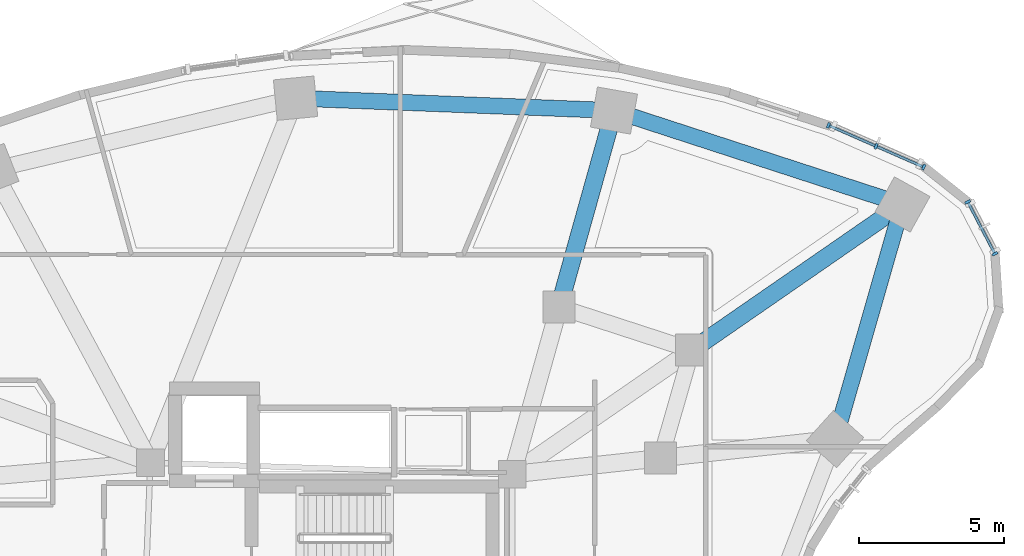
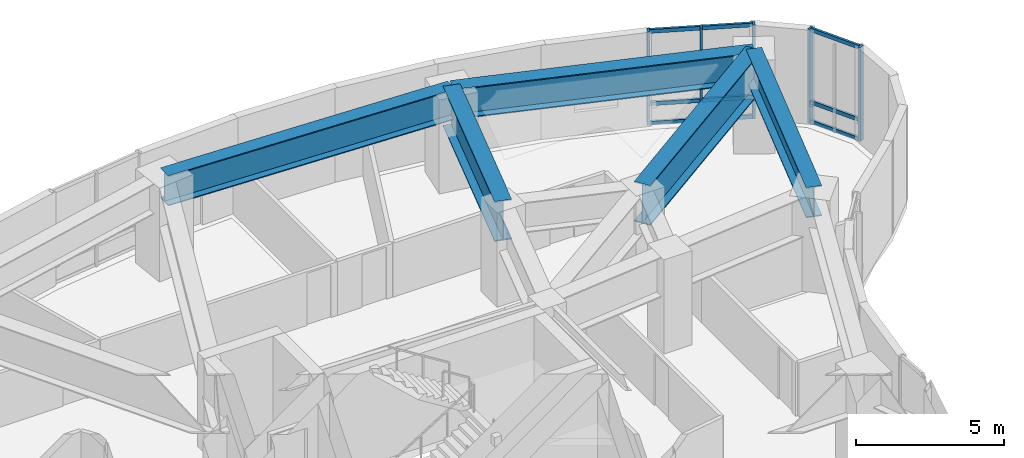
# One storey, part 5 of 13: 14 members, 5 beams, 2 elements without a shape of their own.
"""IFC4 building model written with IfcOpenShell, lengths in metres."""

from ifc_helpers import new_model, si_unit, direction, frame, origin, origin_2d, place, context, subcontext, project, spatial, rectangle, i_section, extrude, material, layer, layer_set, material_profile, profile_set, type_object, element, aggregate, save


model = new_model("IFC4")

# Units and contexts
model_context = context("Model", 3, precision=1e-05, world=origin(), true_north=direction((0.0, 1.0)))
body_context = subcontext(model_context, "Body", "Model", "MODEL_VIEW")
ifc_project = project(units=[si_unit("LENGTHUNIT", "METRE"), si_unit("AREAUNIT", "SQUARE_METRE"), si_unit("VOLUMEUNIT", "CUBIC_METRE"), si_unit("PLANEANGLEUNIT", "RADIAN"), si_unit("MASSUNIT", "GRAM", prefix="KILO")], contexts=[model_context])

# Site, building, storey
site_placement = place(None, origin())
site = spatial("IfcSite", under=ifc_project, at=site_placement, CompositionType="ELEMENT")
building_placement = place(site_placement, origin())
building = spatial("IfcBuilding", under=site, at=building_placement, Name="Korentha Bioscience Tower", CompositionType="ELEMENT")
storey_placement = place(building_placement, frame((0.0, 0.0, 80.39990234375)))
storey = spatial("IfcBuildingStorey", under=building, at=storey_placement, Name="L18", CompositionType="ELEMENT", Elevation=80.39990234375)

# Beams
ifc_material_1 = material(Name="Steel S355", Category="steel")
ifc_material_profile_1 = material_profile(ifc_material_1, i_section(OverallWidth=0.550048828125, OverallDepth=1.25, WebThickness=0.02392578125, FlangeThickness=0.0400390625, at=origin_2d()), Name="Steel S355")
ifc_profile_set_1 = profile_set([ifc_material_profile_1], Name="Steel S355 (TG-03)")
beam_type_1 = type_object("IfcBeamType", Name="Crown Step Transfer Girder CVS 1250x510", PredefinedType="USERDEFINED", material=ifc_profile_set_1)
beam_1_placement = place(storey_placement, frame((50.977294921875, 45.135498046875, 3.255126953125), z_axis=(-0.95087511444, 0.309574735305, 0.0), x_axis=(-0.309574735305, -0.95087511444, 0.0)))
element("IfcBeam", 1, at=beam_1_placement, inside=storey, type_object=beam_type_1, Name="L18 Perimeter Spandrel Girder 01", ObjectType="TRANSFER_GIRDER", PredefinedType="USERDEFINED", context=body_context, shape_type="SweptSolid", body=[
    extrude(i_section(OverallWidth=0.550048828125, OverallDepth=1.25, WebThickness=0.02392578125, FlangeThickness=0.0400390625, at=origin_2d()), origin(), (0.0, 0.0, 1.0), 10.4375),
])
beam_2_placement = place(storey_placement, frame((41.052490234375, 48.36669921875, 3.255126953125), z_axis=(-0.999246003889, 0.03882555488, 0.0), x_axis=(-0.03882555488, -0.999246003889, 0.0)))
element("IfcBeam", 2, at=beam_2_placement, inside=storey, type_object=beam_type_1, Name="L18 Perimeter Spandrel Girder 02", ObjectType="TRANSFER_GIRDER", PredefinedType="USERDEFINED", context=body_context, shape_type="SweptSolid", body=[
    extrude(i_section(OverallWidth=0.550048828125, OverallDepth=1.25, WebThickness=0.02392578125, FlangeThickness=0.0400390625, at=origin_2d()), origin(), (0.0, 0.0, 1.0), 10.966552734375),
])
beam_3_placement = place(storey_placement, frame((48.661865234375, 37.060791015625, 3.255126953125), z_axis=(0.275642273411, 0.961260285827, 0.0), x_axis=(-0.961260285827, 0.275642273411, 0.0)))
element("IfcBeam", 3, at=beam_3_placement, inside=storey, type_object=beam_type_1, Name="L18 Perimeter Spandrel Girder 16", ObjectType="TRANSFER_GIRDER", PredefinedType="USERDEFINED", context=body_context, shape_type="SweptSolid", body=[
    extrude(i_section(OverallWidth=0.550048828125, OverallDepth=1.25, WebThickness=0.02392578125, FlangeThickness=0.0400390625, at=origin_2d()), origin(), (0.0, 0.0, 1.0), 8.400146484375),
])
ifc_material_profile_2 = material_profile(ifc_material_1, i_section(OverallWidth=0.60009765625, OverallDepth=1.64990234375, WebThickness=0.02587890625, FlangeThickness=0.0439453125, at=origin_2d()), Name="Steel S355")
ifc_profile_set_2 = profile_set([ifc_material_profile_2], Name="Steel S355 (TG-04)")
beam_type_2 = type_object("IfcBeamType", Name="Deep Setback Transfer Girder CVS 1650x620", PredefinedType="USERDEFINED", material=ifc_profile_set_2)
beam_4_placement = place(storey_placement, frame((43.7265625, 40.121337890625, 3.05517578125), z_axis=(0.822488186113, 0.568782193555, 0.0), x_axis=(-0.568782193555, 0.822488186113, 0.0)))
element("IfcBeam", 4, at=beam_4_placement, inside=storey, type_object=beam_type_2, Name="L18 Outer Radial Transfer Girder 01", ObjectType="TRANSFER_GIRDER", PredefinedType="USERDEFINED", context=body_context, shape_type="SweptSolid", body=[
    extrude(i_section(OverallWidth=0.60009765625, OverallDepth=1.64990234375, WebThickness=0.02587890625, FlangeThickness=0.0439453125, at=origin_2d()), origin(), (0.0, 0.0, 1.0), 8.815673828125),
])
beam_5_placement = place(storey_placement, frame((39.1611328125, 41.607666015625, 3.05517578125), z_axis=(0.269475095129, 0.963007358801, 0.0), x_axis=(-0.963007358801, 0.269475095129, 0.0)))
element("IfcBeam", 5, at=beam_5_placement, inside=storey, type_object=beam_type_2, Name="L18 Outer Radial Transfer Girder 02", ObjectType="TRANSFER_GIRDER", PredefinedType="USERDEFINED", context=body_context, shape_type="SweptSolid", body=[
    extrude(i_section(OverallWidth=0.60009765625, OverallDepth=1.64990234375, WebThickness=0.02587890625, FlangeThickness=0.0439453125, at=origin_2d()), origin(), (0.0, 0.0, 1.0), 7.0185546875),
])

# Curtain wall, members
ifc_material_2 = material(Name="Thermally Broken Aluminium Frame", Category="aluminium")
ifc_layer = layer(ifc_material_2, 0.219970703125, Name="Thermally Broken Aluminium Frame")
ifc_layer_set = layer_set([ifc_layer], Name="Thermally Broken Aluminium Frame (CW-T2)")
curtain_wall_type = type_object("IfcCurtainWallType", Name="Solar-Screened Lab Unitised Curtain Wall CW-T2", PredefinedType="USERDEFINED", material=ifc_layer_set)
curtain_wall_1_placement = place(storey_placement, origin())
curtain_wall_1 = element("IfcCurtainWall", 6, at=curtain_wall_1_placement, inside=storey, type_object=curtain_wall_type, Name="L18 Curtain Wall 01", ObjectType="UNITISED", PredefinedType="USERDEFINED")
ifc_material_3 = material(Name="Anodised Aluminium 6063-T6", Category="aluminium")
ifc_material_profile_3 = material_profile(ifc_material_3, rectangle(XDim=0.090087890625, YDim=0.199951171875, at=origin_2d()), Name="Anodised Aluminium 6063-T6")
ifc_profile_set_3 = profile_set([ifc_material_profile_3], Name="Anodised Aluminium 6063-T6 (CW-MUL)")
member_type_1 = type_object("IfcMemberType", Name="Mullion RECT 90x200", PredefinedType="MULLION", material=ifc_profile_set_3)
member_1_placement = place(storey_placement, frame((51.71337890625, 46.420654296875, 0.0), z_axis=(0.0, 0.0, 1.0), x_axis=(-0.91593909057, 0.401317308828, 0.0)))
member_1 = element("IfcMember", 7, at=member_1_placement, type_object=member_type_1, Name="CW-L18-01 Mullion 1", PredefinedType="MULLION", context=body_context, shape_type="SweptSolid", body=[
    extrude(rectangle(XDim=0.090087890625, YDim=0.199951171875, at=origin_2d()), origin(), (0.0, 0.0, 1.0), 3.880126953125),
])
member_2_placement = place(storey_placement, frame((50.072998046875, 47.139404296875, 0.0), z_axis=(0.0, 0.0, 1.0), x_axis=(-0.91593909057, 0.401317308828, 0.0)))
member_2 = element("IfcMember", 8, at=member_2_placement, type_object=member_type_1, Name="CW-L18-01 Mullion 2", PredefinedType="MULLION", context=body_context, shape_type="SweptSolid", body=[
    extrude(rectangle(XDim=0.090087890625, YDim=0.199951171875, at=origin_2d()), origin(), (0.0, 0.0, 1.0), 3.880126953125),
])
member_3_placement = place(storey_placement, frame((48.43212890625, 47.8583984375, 0.0), z_axis=(0.0, 0.0, 1.0), x_axis=(-0.91593909057, 0.401317308828, 0.0)))
member_3 = element("IfcMember", 9, at=member_3_placement, type_object=member_type_1, Name="CW-L18-01 Mullion 3", PredefinedType="MULLION", context=body_context, shape_type="SweptSolid", body=[
    extrude(rectangle(XDim=0.090087890625, YDim=0.199951171875, at=origin_2d()), origin(), (0.0, 0.0, 1.0), 3.880126953125),
])

curtain_wall_2_placement = place(storey_placement, origin())
curtain_wall_2 = element("IfcCurtainWall", 10, at=curtain_wall_2_placement, inside=storey, type_object=curtain_wall_type, Name="L18 Curtain Wall 61", ObjectType="UNITISED", PredefinedType="USERDEFINED")
member_4_placement = place(storey_placement, frame((54.163330078125, 43.435302734375, 0.0), z_axis=(0.0, 0.0, 1.0), x_axis=(-0.463008597697, 0.886353788539, 0.0)))
member_4 = element("IfcMember", 11, at=member_4_placement, type_object=member_type_1, Name="CW-L18-61 Mullion 1", PredefinedType="MULLION", context=body_context, shape_type="SweptSolid", body=[
    extrude(rectangle(XDim=0.090087890625, YDim=0.199951171875, at=origin_2d()), origin(), (0.0, 0.0, 1.0), 3.880126953125),
])
member_5_placement = place(storey_placement, frame((53.22900390625, 45.2236328125, 0.0), z_axis=(0.0, 0.0, 1.0), x_axis=(-0.463008597697, 0.886353788539, 0.0)))
member_5 = element("IfcMember", 12, at=member_5_placement, type_object=member_type_1, Name="CW-L18-61 Mullion 2", PredefinedType="MULLION", context=body_context, shape_type="SweptSolid", body=[
    extrude(rectangle(XDim=0.090087890625, YDim=0.199951171875, at=origin_2d()), origin(), (0.0, 0.0, 1.0), 3.880126953125),
])

# Member
ifc_material_profile_4 = material_profile(ifc_material_3, rectangle(XDim=0.090087890625, YDim=0.159912109375, at=origin_2d()), Name="Anodised Aluminium 6063-T6")
ifc_profile_set_4 = profile_set([ifc_material_profile_4], Name="Anodised Aluminium 6063-T6 (CW-TRN)")
member_type_2 = type_object("IfcMemberType", Name="Transom RECT 90x160", PredefinedType="USERDEFINED", material=ifc_profile_set_4)
member_6_placement = place(storey_placement, frame((51.67236328125, 46.438720703125, 0.045166015625), z_axis=(-0.915976098914, 0.401232832926, 0.0), x_axis=(-0.401232832926, -0.915976098914, 0.0)))
member_6 = element("IfcMember", 13, at=member_6_placement, type_object=member_type_2, Name="CW-L18-01 Bay 1 Transom 1", ObjectType="TRANSOM", PredefinedType="USERDEFINED", context=body_context, shape_type="SweptSolid", body=[
    extrude(rectangle(XDim=0.090087890625, YDim=0.159912109375, at=origin_2d()), origin(), (0.0, 0.0, 1.0), 1.701416015625),
])

member_7_placement = place(storey_placement, frame((51.67236328125, 46.438720703125, 0.85009765625), z_axis=(-0.915976098914, 0.401232832926, 0.0), x_axis=(-0.401232832926, -0.915976098914, 0.0)))
member_7 = element("IfcMember", 14, at=member_7_placement, type_object=member_type_2, Name="CW-L18-01 Bay 1 Transom 2", ObjectType="TRANSOM", PredefinedType="USERDEFINED", context=body_context, shape_type="SweptSolid", body=[
    extrude(rectangle(XDim=0.090087890625, YDim=0.159912109375, at=origin_2d()), origin(), (0.0, 0.0, 1.0), 1.701416015625),
])

member_8_placement = place(storey_placement, frame((51.67236328125, 46.438720703125, 3.835205078125), z_axis=(-0.915976098914, 0.401232832926, 0.0), x_axis=(-0.401232832926, -0.915976098914, 0.0)))
member_8 = element("IfcMember", 15, at=member_8_placement, type_object=member_type_2, Name="CW-L18-01 Bay 1 Transom 3", ObjectType="TRANSOM", PredefinedType="USERDEFINED", context=body_context, shape_type="SweptSolid", body=[
    extrude(rectangle(XDim=0.090087890625, YDim=0.159912109375, at=origin_2d()), origin(), (0.0, 0.0, 1.0), 1.701416015625),
])

member_9_placement = place(storey_placement, frame((50.031494140625, 47.15771484375, 0.045166015625), z_axis=(-0.915952992218, 0.401285579167, 0.0), x_axis=(-0.401285579167, -0.915952992218, 0.0)))
member_9 = element("IfcMember", 16, at=member_9_placement, type_object=member_type_2, Name="CW-L18-01 Bay 2 Transom 1", ObjectType="TRANSOM", PredefinedType="USERDEFINED", context=body_context, shape_type="SweptSolid", body=[
    extrude(rectangle(XDim=0.090087890625, YDim=0.159912109375, at=origin_2d()), origin(), (0.0, 0.0, 1.0), 1.701171875),
])

member_10_placement = place(storey_placement, frame((50.031494140625, 47.15771484375, 0.85009765625), z_axis=(-0.915952992218, 0.401285579167, 0.0), x_axis=(-0.401285579167, -0.915952992218, 0.0)))
member_10 = element("IfcMember", 17, at=member_10_placement, type_object=member_type_2, Name="CW-L18-01 Bay 2 Transom 2", ObjectType="TRANSOM", PredefinedType="USERDEFINED", context=body_context, shape_type="SweptSolid", body=[
    extrude(rectangle(XDim=0.090087890625, YDim=0.159912109375, at=origin_2d()), origin(), (0.0, 0.0, 1.0), 1.701171875),
])

member_11_placement = place(storey_placement, frame((50.031494140625, 47.15771484375, 3.835205078125), z_axis=(-0.915952992218, 0.401285579167, 0.0), x_axis=(-0.401285579167, -0.915952992218, 0.0)))
member_11 = element("IfcMember", 18, at=member_11_placement, type_object=member_type_2, Name="CW-L18-01 Bay 2 Transom 3", ObjectType="TRANSOM", PredefinedType="USERDEFINED", context=body_context, shape_type="SweptSolid", body=[
    extrude(rectangle(XDim=0.090087890625, YDim=0.159912109375, at=origin_2d()), origin(), (0.0, 0.0, 1.0), 1.701171875),
])

aggregate(curtain_wall_1, [member_1, member_2, member_3, member_6, member_7, member_8, member_9, member_10, member_11])

member_12_placement = place(storey_placement, frame((54.142333984375, 43.47509765625, 0.045166015625), z_axis=(-0.462899248902, 0.886410900974, 0.0), x_axis=(-0.886410900974, -0.462899248902, 0.0)))
member_12 = element("IfcMember", 19, at=member_12_placement, type_object=member_type_2, Name="CW-L18-61 Bay 1 Transom 1", ObjectType="TRANSOM", PredefinedType="USERDEFINED", context=body_context, shape_type="SweptSolid", body=[
    extrude(rectangle(XDim=0.090087890625, YDim=0.159912109375, at=origin_2d()), origin(), (0.0, 0.0, 1.0), 1.927734375),
])

member_13_placement = place(storey_placement, frame((54.142333984375, 43.47509765625, 0.85009765625), z_axis=(-0.462899248902, 0.886410900974, 0.0), x_axis=(-0.886410900974, -0.462899248902, 0.0)))
member_13 = element("IfcMember", 20, at=member_13_placement, type_object=member_type_2, Name="CW-L18-61 Bay 1 Transom 2", ObjectType="TRANSOM", PredefinedType="USERDEFINED", context=body_context, shape_type="SweptSolid", body=[
    extrude(rectangle(XDim=0.090087890625, YDim=0.159912109375, at=origin_2d()), origin(), (0.0, 0.0, 1.0), 1.927734375),
])

member_14_placement = place(storey_placement, frame((54.142333984375, 43.47509765625, 3.835205078125), z_axis=(-0.462899248902, 0.886410900974, 0.0), x_axis=(-0.886410900974, -0.462899248902, 0.0)))
member_14 = element("IfcMember", 21, at=member_14_placement, type_object=member_type_2, Name="CW-L18-61 Bay 1 Transom 3", ObjectType="TRANSOM", PredefinedType="USERDEFINED", context=body_context, shape_type="SweptSolid", body=[
    extrude(rectangle(XDim=0.090087890625, YDim=0.159912109375, at=origin_2d()), origin(), (0.0, 0.0, 1.0), 1.927734375),
])

aggregate(curtain_wall_2, [member_4, member_5, member_12, member_13, member_14])

save(model, "model.ifc")
